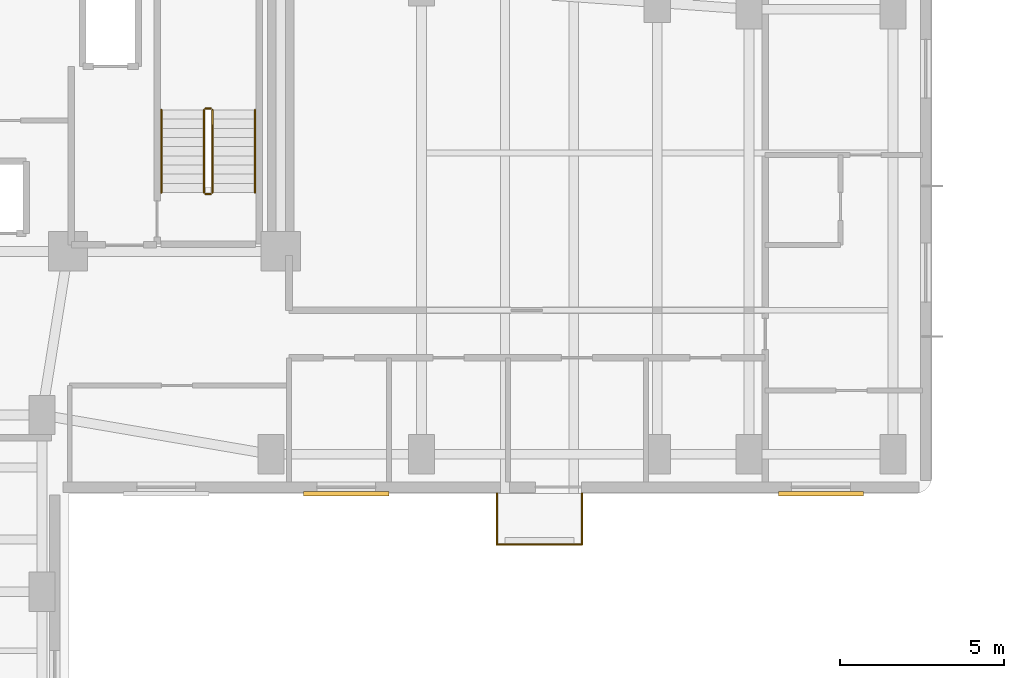
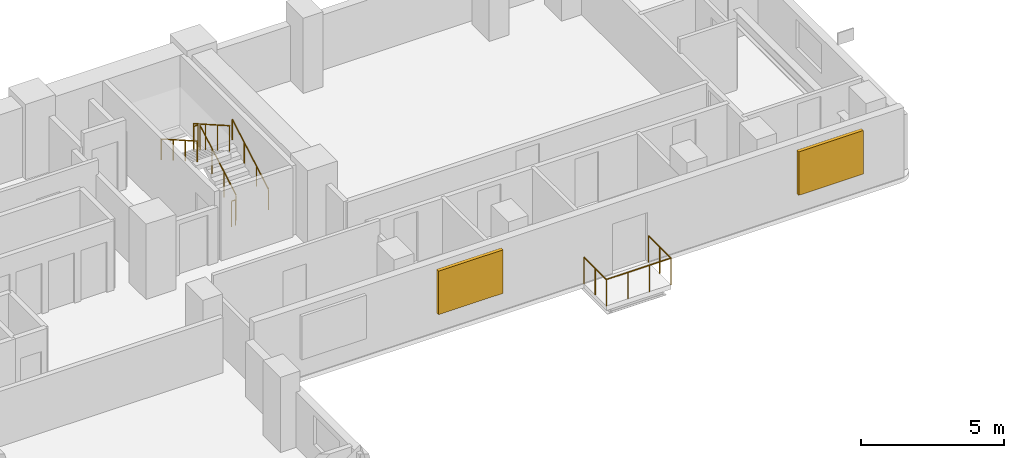
# One storey, part 10 of 11: 9 railings, 2 shading devices.
"""IFC4 building model written with IfcOpenShell, lengths in metres."""

import ifcopenshell
import ifcopenshell.guid

model = None  # the IFC model being written
_history = None  # IfcOwnerHistory: only IFC2X3 demands one
_inside = {}  # id of a spatial element -> (the spatial element, [elements in it])
_under = {}  # id of a project, library or spatial element -> (it, [spatial elements below it])
_declared = {}  # id of a project -> (the project, [libraries it declares])
_typed = {}  # id of a type object -> (the type object, [elements of that type])
_made_of = {}  # id of a material, layer set ... -> (it, [elements and type objects made of it])


def new_model(schema):
    """Start an empty IFC model of exactly this schema.

    Asked for "IFC4X3", IfcOpenShell would pick the latest addendum, in which some entities
    have other attributes; the version numbers below select the first issue.
    IFC2X3 requires an IfcOwnerHistory on every rooted entity: one is made here for all.
    """
    global model, _history
    if schema == "IFC4X3":
        model = ifcopenshell.file(schema_version=(4, 3, 0, 0))
    else:
        model = ifcopenshell.file(schema=schema)
    _inside.clear()
    _under.clear()
    _declared.clear()
    _typed.clear()
    _made_of.clear()
    _history = None
    if model.schema == "IFC2X3":
        org = make("IfcOrganization", Name="unknown")
        user = make(
            "IfcPersonAndOrganization",
            ThePerson=make("IfcPerson", FamilyName="unknown"),
            TheOrganization=org,
        )
        app = make(
            "IfcApplication",
            ApplicationDeveloper=org,
            Version="unknown",
            ApplicationFullName="unknown",
            ApplicationIdentifier="unknown",
        )
        _history = make(
            "IfcOwnerHistory",
            OwningUser=user,
            OwningApplication=app,
            ChangeAction="ADDED",
            CreationDate=0,
        )
    return model


def make(cls, **values):
    """One entity of the class cls with the attributes given. An attribute that is None is left unset."""
    return model.create_entity(
        cls, **{name: value for name, value in values.items() if value is not None}
    )


def rooted(cls, **values):
    """An entity with a GlobalId (a new one), such as an element, a storey or a relation."""
    return make(cls, GlobalId=ifcopenshell.guid.new(), OwnerHistory=_history, **values)


def si_unit(unit_type, name, prefix=None):
    """IfcSIUnit, for example si_unit("LENGTHUNIT", "METRE", prefix="MILLI")."""
    return make("IfcSIUnit", UnitType=unit_type, Prefix=prefix, Name=name)


def assignment(units):
    """IfcUnitAssignment: the units of a project."""
    return None if units is None else make("IfcUnitAssignment", Units=units)


def point(xyz):
    """IfcCartesianPoint."""
    return None if xyz is None else make("IfcCartesianPoint", Coordinates=xyz)


def direction(xyz):
    """IfcDirection."""
    return None if xyz is None else make("IfcDirection", DirectionRatios=xyz)


def frame(location, z_axis=None, x_axis=None):
    """IfcAxis2Placement3D, a coordinate frame: its origin and axes. An axis left out is left unset."""
    return make(
        "IfcAxis2Placement3D",
        Location=point(location),
        Axis=direction(z_axis),
        RefDirection=direction(x_axis),
    )


def frame_2d(location, x_axis=None):
    """IfcAxis2Placement2D, a coordinate frame in the plane: its origin and x axis."""
    return make(
        "IfcAxis2Placement2D", Location=point(location), RefDirection=direction(x_axis)
    )


def origin():
    """The frame at (0, 0, 0) with its axes left unset."""
    return frame((0.0, 0.0, 0.0))


def origin_2d():
    """The frame at (0, 0) in the plane with its x axis left unset."""
    return frame_2d((0.0, 0.0))


def place(relative_to, where):
    """IfcLocalPlacement: puts the frame where relative to a parent placement (None: the world)."""
    return make(
        "IfcLocalPlacement", PlacementRelTo=relative_to, RelativePlacement=where
    )


def context(
    kind, dimensions, precision=None, world=None, true_north=None, identifier=None
):
    """IfcGeometricRepresentationContext, for example the 3D "Model" context."""
    return make(
        "IfcGeometricRepresentationContext",
        ContextIdentifier=identifier,
        ContextType=kind,
        CoordinateSpaceDimension=dimensions,
        Precision=precision,
        WorldCoordinateSystem=world,
        TrueNorth=true_north,
    )


def subcontext(parent, identifier, kind, view, scale=None):
    """IfcGeometricRepresentationSubContext, for example "Body" below "Model"."""
    return make(
        "IfcGeometricRepresentationSubContext",
        ContextIdentifier=identifier,
        ContextType=kind,
        ParentContext=parent,
        TargetScale=scale,
        TargetView=view,
    )


def project(units=None, contexts=None):
    """IfcProject with its units and contexts."""
    return rooted(
        "IfcProject",
        Name="project",
        RepresentationContexts=contexts,
        UnitsInContext=assignment(units),
    )


def spatial(cls, under=None, at=None, **own):
    """A site, building, storey or space (cls), placed at a placement, below another one or the project."""
    s = rooted(cls, ObjectPlacement=at, **own)
    if under is not None:
        _under.setdefault(under.id(), (under, []))[1].append(s)
    return s


def profile(cls, at=None, kind="AREA", **sizes):
    """A parametric profile (cls). Its sizes go by their IFC names, for example OverallWidth=200.0."""
    return make(cls, ProfileType=kind, Position=at, **sizes)


def rectangle(**sizes):
    """IfcRectangleProfileDef."""
    return profile("IfcRectangleProfileDef", **sizes)


def circle(**sizes):
    """IfcCircleProfileDef."""
    return profile("IfcCircleProfileDef", **sizes)


def extrude(swept, where, along, depth):
    """IfcExtrudedAreaSolid: the profile swept, set in the frame where, extruded along a direction by depth."""
    return make(
        "IfcExtrudedAreaSolid",
        SweptArea=swept,
        Position=where,
        ExtrudedDirection=direction(along),
        Depth=depth,
    )


def shape(context_of_items, identifier, shape_type, items):
    """IfcShapeRepresentation: the items that make up one representation, for example the "Body"."""
    return make(
        "IfcShapeRepresentation",
        ContextOfItems=context_of_items,
        RepresentationIdentifier=identifier,
        RepresentationType=shape_type,
        Items=items,
    )


def material(Name=None, Category=None):
    """IfcMaterial."""
    return make("IfcMaterial", Name=Name, Category=Category)


def layer(
    of_material, thickness, ventilated=None, Name=None, Category=None, Priority=None
):
    """IfcMaterialLayer: one layer of a wall or slab, of a material (None: an air gap)."""
    return make(
        "IfcMaterialLayer",
        Material=of_material,
        LayerThickness=thickness,
        IsVentilated=ventilated,
        Name=Name,
        Category=Category,
        Priority=Priority,
    )


def layer_set(layers, Name=None):
    """IfcMaterialLayerSet."""
    return make("IfcMaterialLayerSet", MaterialLayers=layers, LayerSetName=Name)


def made_of(thing, what):
    """Note that an element or type object is made of a material, layer set ...; save() writes the relation."""
    if what is not None:
        _made_of.setdefault(what.id(), (what, []))[1].append(thing)
    return thing


def type_object(cls, material=None, **own):
    """A type object (cls), such as IfcWallType, which elements share."""
    return made_of(rooted(cls, **own), material)


def element(
    cls,
    number,
    at=None,
    inside=None,
    cuts=None,
    type_object=None,
    material=None,
    context=None,
    identifier="Body",
    shape_type=None,
    held_by="IfcProductDefinitionShape",
    body=None,
    shapes=None,
    **own,
):
    """One element of the class cls, such as IfcWall. Its Tag is "e" and its number.

    at: its placement. inside: the storey or other place that contains it. cuts: it is an
    opening in that element (IfcRelVoidsElement). A single representation is given by context,
    identifier, shape_type and body (its items); several are given by shapes. held_by: the class
    of the entity that holds the representations. save() writes the other relations.
    """
    e = rooted(cls, Tag="e%d" % number, ObjectPlacement=at, **own)
    if body is not None:
        shapes = [shape(context, identifier, shape_type, body)]
    if shapes is not None:
        e.Representation = make(held_by, Representations=shapes)
    if inside is not None:
        _inside.setdefault(inside.id(), (inside, []))[1].append(e)
    if cuts is not None:
        rooted(
            "IfcRelVoidsElement", RelatingBuildingElement=cuts, RelatedOpeningElement=e
        )
    if type_object is not None:
        _typed.setdefault(type_object.id(), (type_object, []))[1].append(e)
    return made_of(e, material)


def aggregate(whole, parts):
    """IfcRelAggregates: a whole, such as a stair, and the parts it consists of."""
    return rooted("IfcRelAggregates", RelatingObject=whole, RelatedObjects=parts)


def save(model, path):
    """Write the relations noted so far, then the file.

    IfcRelAggregates (storeys below a building ...), IfcRelContainedInSpatialStructure (elements
    in a storey), IfcRelDefinesByType, IfcRelAssociatesMaterial and IfcRelDeclares: one each for
    every whole, place, type object, material and project.
    """
    for whole, parts in _under.values():
        aggregate(whole, parts)
    for where, things in _inside.values():
        rooted(
            "IfcRelContainedInSpatialStructure",
            RelatedElements=things,
            RelatingStructure=where,
        )
    for kind, things in _typed.values():
        rooted("IfcRelDefinesByType", RelatedObjects=things, RelatingType=kind)
    for what, things in _made_of.values():
        rooted("IfcRelAssociatesMaterial", RelatedObjects=things, RelatingMaterial=what)
    for by, libraries in _declared.values():
        rooted("IfcRelDeclares", RelatingContext=by, RelatedDefinitions=libraries)
    model.write(path)


model = new_model("IFC4")

# Units and contexts
model_context = context("Model", 3, precision=1e-05, world=origin(), true_north=direction((0.0, 1.0)))
body_context = subcontext(model_context, "Body", "Model", "MODEL_VIEW")
ifc_project = project(units=[si_unit("LENGTHUNIT", "METRE"), si_unit("AREAUNIT", "SQUARE_METRE"), si_unit("VOLUMEUNIT", "CUBIC_METRE"), si_unit("PLANEANGLEUNIT", "RADIAN"), si_unit("MASSUNIT", "GRAM", prefix="KILO")], contexts=[model_context])

# Site, building, storey
site_placement = place(None, origin())
site = spatial("IfcSite", under=ifc_project, at=site_placement, CompositionType="ELEMENT")
building_placement = place(site_placement, origin())
building = spatial("IfcBuilding", under=site, at=building_placement, Name="Kuzgunbayir Cultural Tower", CompositionType="ELEMENT")
storey_placement = place(building_placement, frame((0.0, 0.0, 99.39990234375)))
storey = spatial("IfcBuildingStorey", under=building, at=storey_placement, Name="L28", CompositionType="ELEMENT", Elevation=99.39990234375)

# Railings
ifc_material_1 = material(Name="Laminated Glass and Stainless Steel", Category="steel")
ifc_layer_1 = layer(ifc_material_1, 0.080078125)
ifc_layer_set_1 = layer_set([ifc_layer_1], Name="Laminated Glass and Stainless Steel")
railing_type_1 = type_object("IfcRailingType", Name="RLG-BAL-115", PredefinedType="BALUSTRADE", material=ifc_layer_set_1)
railing_1_placement = place(storey_placement, frame((33.5, 26.39990234375, 0.0)))
element("IfcRailing", 1, at=railing_1_placement, inside=storey, type_object=railing_type_1, Name="L28 Balcony Guard BAL-L28-WB2 Segment 1", PredefinedType="BALUSTRADE", context=body_context, shape_type="SweptSolid", body=[
    extrude(circle(Radius=0.02392578125, at=origin_2d()), frame((0.0, 0.0, 1.1259765625), z_axis=(0.0, -1.0, 0.0), x_axis=(1.0, 0.0, 0.0)), (0.0, 0.0, 1.0), 1.559814453125),
    extrude(circle(Radius=0.02099609375, at=origin_2d()), origin(), (0.0, 0.0, 1.0), 1.101806640625),
    extrude(circle(Radius=0.02099609375, at=origin_2d()), frame((0.0, -0.77978515625, 0.0)), (0.0, 0.0, 1.0), 1.101806640625),
    extrude(circle(Radius=0.02099609375, at=origin_2d()), frame((0.0, -1.559814453125, 0.0)), (0.0, 0.0, 1.0), 1.101806640625),
])
railing_2_placement = place(storey_placement, frame((33.5, 24.840087890625, 0.0)))
element("IfcRailing", 2, at=railing_2_placement, inside=storey, type_object=railing_type_1, Name="L28 Balcony Guard BAL-L28-WB2 Segment 2", PredefinedType="BALUSTRADE", context=body_context, shape_type="SweptSolid", body=[
    extrude(circle(Radius=0.02392578125, at=origin_2d()), frame((0.0, 0.0, 1.1259765625), z_axis=(1.0, 0.0, 0.0), x_axis=(0.0, 1.0, 0.0)), (0.0, 0.0, 1.0), 2.60009765625),
    extrude(circle(Radius=0.02099609375, at=origin_2d()), origin(), (0.0, 0.0, 1.0), 1.101806640625),
    extrude(circle(Radius=0.02099609375, at=origin_2d()), frame((0.86669921875, 0.0, 0.0)), (0.0, 0.0, 1.0), 1.101806640625),
    extrude(circle(Radius=0.02099609375, at=origin_2d()), frame((1.7333984375, 0.0, 0.0)), (0.0, 0.0, 1.0), 1.101806640625),
    extrude(circle(Radius=0.02099609375, at=origin_2d()), frame((2.60009765625, 0.0, 0.0)), (0.0, 0.0, 1.0), 1.101806640625),
])
railing_3_placement = place(storey_placement, frame((36.10009765625, 24.840087890625, 0.0)))
element("IfcRailing", 3, at=railing_3_placement, inside=storey, type_object=railing_type_1, Name="L28 Balcony Guard BAL-L28-WB2 Segment 3", PredefinedType="BALUSTRADE", context=body_context, shape_type="SweptSolid", body=[
    extrude(circle(Radius=0.02392578125, at=origin_2d()), frame((0.0, 0.0, 1.1259765625), z_axis=(0.0, 1.0, 0.0), x_axis=(-1.0, 0.0, 0.0)), (0.0, 0.0, 1.0), 1.559814453125),
    extrude(circle(Radius=0.02099609375, at=origin_2d()), origin(), (0.0, 0.0, 1.0), 1.101806640625),
    extrude(circle(Radius=0.02099609375, at=origin_2d()), frame((0.0, 0.77978515625, 0.0)), (0.0, 0.0, 1.0), 1.101806640625),
    extrude(circle(Radius=0.02099609375, at=origin_2d()), frame((0.0, 1.559814453125, 0.0)), (0.0, 0.0, 1.0), 1.101806640625),
])
ifc_material_2 = material(Name="Brushed Stainless Steel", Category="steel")
ifc_layer_2 = layer(ifc_material_2, 0.050048828125)
ifc_layer_set_2 = layer_set([ifc_layer_2], Name="Brushed Stainless Steel")
railing_type_2 = type_object("IfcRailingType", Name="RLG-STAIR-HANDRAIL", PredefinedType="HANDRAIL", material=ifc_layer_set_2)
railing_4_placement = place(storey_placement, frame((26.110107421875, 35.60009765625, 0.16015625)))
element("IfcRailing", 4, at=railing_4_placement, inside=storey, type_object=railing_type_2, Name="L28 ST-2 stair handrail 1", PredefinedType="HANDRAIL", context=body_context, shape_type="SweptSolid", body=[
    extrude(circle(Radius=0.02392578125, at=origin_2d()), frame((0.0, 0.0, 0.8759765625), z_axis=(0.0, 0.868253494771, 0.496120820787), x_axis=(-1.0, 0.0, 0.0)), (0.0, 0.0, 1.0), 2.90234375),
    extrude(circle(Radius=0.02099609375, at=origin_2d()), origin(), (0.0, 0.0, 1.0), 0.851806640625),
    extrude(circle(Radius=0.02099609375, at=origin_2d()), frame((0.0, 0.840087890625, 0.47998046875)), (0.0, 0.0, 1.0), 0.851806640625),
    extrude(circle(Radius=0.02099609375, at=origin_2d()), frame((0.0, 1.679931640625, 0.9599609375)), (0.0, 0.0, 1.0), 0.851806640625),
    extrude(circle(Radius=0.02099609375, at=origin_2d()), frame((0.0, 2.52001953125, 1.43994140625)), (0.0, 0.0, 1.0), 0.851806640625),
])
railing_5_placement = place(storey_placement, frame((23.25, 38.1201171875, 1.760009765625)))
element("IfcRailing", 5, at=railing_5_placement, inside=storey, type_object=railing_type_2, Name="L28 ST-2 stair handrail 2", PredefinedType="HANDRAIL", context=body_context, shape_type="SweptSolid", body=[
    extrude(circle(Radius=0.02392578125, at=origin_2d()), frame((0.0, 0.0, 0.8759765625), z_axis=(0.0, -0.868217259934, 0.496184229447), x_axis=(1.0, 0.0, 0.0)), (0.0, 0.0, 1.0), 2.902587890625),
    extrude(circle(Radius=0.02099609375, at=origin_2d()), origin(), (0.0, 0.0, 1.0), 0.851806640625),
    extrude(circle(Radius=0.02099609375, at=origin_2d()), frame((0.0, -0.840087890625, 0.47998046875)), (0.0, 0.0, 1.0), 0.851806640625),
    extrude(circle(Radius=0.02099609375, at=origin_2d()), frame((0.0, -1.679931640625, 0.960205078125)), (0.0, 0.0, 1.0), 0.851806640625),
    extrude(circle(Radius=0.02099609375, at=origin_2d()), frame((0.0, -2.52001953125, 1.440185546875)), (0.0, 0.0, 1.0), 0.851806640625),
])
ifc_material_3 = material(Name="Painted Steel Balustrade", Category="steel")
ifc_layer_3 = layer(ifc_material_3, 0.06005859375)
ifc_layer_set_3 = layer_set([ifc_layer_3], Name="Painted Steel Balustrade")
railing_type_3 = type_object("IfcRailingType", Name="RLG-WELL-GUARD", PredefinedType="GUARDRAIL", material=ifc_layer_set_3)
railing_6_placement = place(storey_placement, frame((24.81005859375, 35.60009765625, 0.16015625)))
element("IfcRailing", 6, at=railing_6_placement, inside=storey, type_object=railing_type_3, Name="L28 ST-2 stair guard 1", PredefinedType="GUARDRAIL", context=body_context, shape_type="SweptSolid", body=[
    extrude(circle(Radius=0.02392578125, at=origin_2d()), frame((0.0, 0.0, 1.076171875), z_axis=(0.0, 0.868253494771, 0.496120820787), x_axis=(-1.0, 0.0, 0.0)), (0.0, 0.0, 1.0), 2.90234375),
    extrude(circle(Radius=0.02099609375, at=origin_2d()), origin(), (0.0, 0.0, 1.0), 1.052001953125),
    extrude(circle(Radius=0.02099609375, at=origin_2d()), frame((0.0, 0.840087890625, 0.47998046875)), (0.0, 0.0, 1.0), 1.052001953125),
    extrude(circle(Radius=0.02099609375, at=origin_2d()), frame((0.0, 1.679931640625, 0.9599609375)), (0.0, 0.0, 1.0), 1.052001953125),
    extrude(circle(Radius=0.02099609375, at=origin_2d()), frame((0.0, 2.52001953125, 1.43994140625)), (0.0, 0.0, 1.0), 1.052001953125),
])
railing_7_placement = place(storey_placement, frame((24.760009765625, 38.169921875, 1.60009765625)))
element("IfcRailing", 7, at=railing_7_placement, inside=storey, type_object=railing_type_3, Name="L28 ST-2 stair guard 2", PredefinedType="GUARDRAIL", context=body_context, shape_type="SweptSolid", body=[
    extrude(circle(Radius=0.02392578125, at=origin_2d()), frame((0.0, 0.0, 1.076171875), z_axis=(-1.0, 0.0, 0.0), x_axis=(0.0, -1.0, 0.0)), (0.0, 0.0, 1.0), 0.159912109375),
    extrude(circle(Radius=0.02099609375, at=origin_2d()), origin(), (0.0, 0.0, 1.0), 1.052001953125),
    extrude(circle(Radius=0.02099609375, at=origin_2d()), frame((-0.159912109375, 0.0, 0.0)), (0.0, 0.0, 1.0), 1.052001953125),
])
railing_8_placement = place(storey_placement, frame((24.550048828125, 38.1201171875, 1.760009765625)))
element("IfcRailing", 8, at=railing_8_placement, inside=storey, type_object=railing_type_3, Name="L28 ST-2 stair guard 3", PredefinedType="GUARDRAIL", context=body_context, shape_type="SweptSolid", body=[
    extrude(circle(Radius=0.02392578125, at=origin_2d()), frame((0.0, 0.0, 1.076171875), z_axis=(0.0, -0.868217259934, 0.496184229447), x_axis=(1.0, 0.0, 0.0)), (0.0, 0.0, 1.0), 2.902587890625),
    extrude(circle(Radius=0.02099609375, at=origin_2d()), origin(), (0.0, 0.0, 1.0), 1.052001953125),
    extrude(circle(Radius=0.02099609375, at=origin_2d()), frame((0.0, -0.840087890625, 0.47998046875)), (0.0, 0.0, 1.0), 1.052001953125),
    extrude(circle(Radius=0.02099609375, at=origin_2d()), frame((0.0, -1.679931640625, 0.960205078125)), (0.0, 0.0, 1.0), 1.052001953125),
    extrude(circle(Radius=0.02099609375, at=origin_2d()), frame((0.0, -2.52001953125, 1.440185546875)), (0.0, 0.0, 1.0), 1.052001953125),
])
railing_9_placement = place(storey_placement, frame((24.760009765625, 35.550048828125, 0.0)))
element("IfcRailing", 9, at=railing_9_placement, inside=storey, type_object=railing_type_3, Name="L28 ST-2 stair guard 4", PredefinedType="GUARDRAIL", context=body_context, shape_type="SweptSolid", body=[
    extrude(circle(Radius=0.02392578125, at=origin_2d()), frame((0.0, 0.0, 1.076171875), z_axis=(-1.0, 0.0, 0.0), x_axis=(0.0, -1.0, 0.0)), (0.0, 0.0, 1.0), 0.159912109375),
    extrude(circle(Radius=0.02099609375, at=origin_2d()), origin(), (0.0, 0.0, 1.0), 1.052001953125),
    extrude(circle(Radius=0.02099609375, at=origin_2d()), frame((-0.159912109375, 0.0, 0.0)), (0.0, 0.0, 1.0), 1.052001953125),
])

# Shading devices
ifc_material_4 = material(Name="Perforated Bronze-Anodised Aluminium", Category="aluminium")
shading_device_type = type_object("IfcShadingDeviceType", Name="SHD-SOLAR-BRONZE", PredefinedType="JALOUSIE", material=ifc_material_4)
for number, where, z_axis, x_axis, name in (
    (10, (28.89990234375, 26.389892578125, 0.795166015625), (0.0, 0.0, 1.0), (1.0, 0.0, 0.0), "L28 Solar Screen WBS12"),
    (11, (43.39990234375, 26.389892578125, 0.795166015625), (0.0, 0.0, 1.0), (1.0, 0.0, 0.0), "L28 Solar Screen WBS13"),
):
    element("IfcShadingDevice", number, at=place(storey_placement, frame(where, z_axis=z_axis, x_axis=x_axis)), inside=storey, type_object=shading_device_type, Name=name, PredefinedType="JALOUSIE", context=body_context, shape_type="SweptSolid", body=[
        extrude(rectangle(XDim=2.60009765625, YDim=0.139892578125, at=origin_2d()), origin(), (0.0, 0.0, 1.0), 1.85009765625),
    ])

save(model, "model.ifc")
